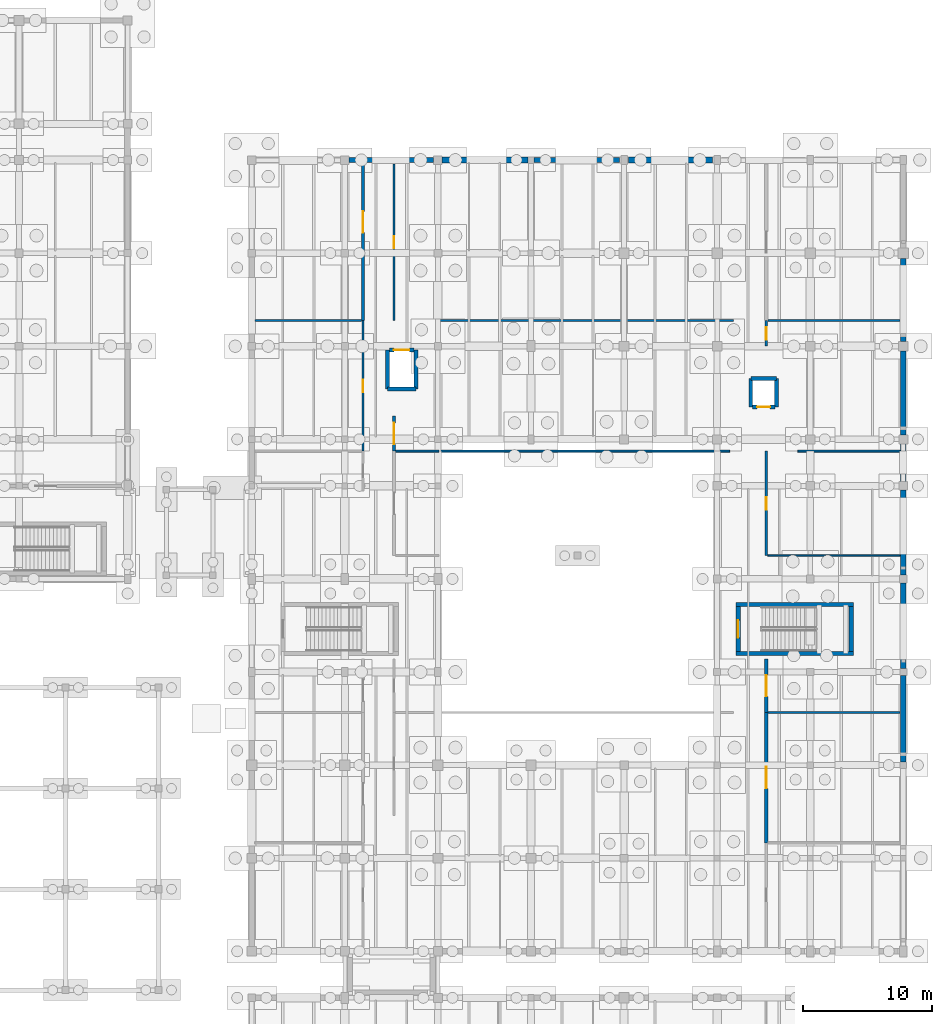
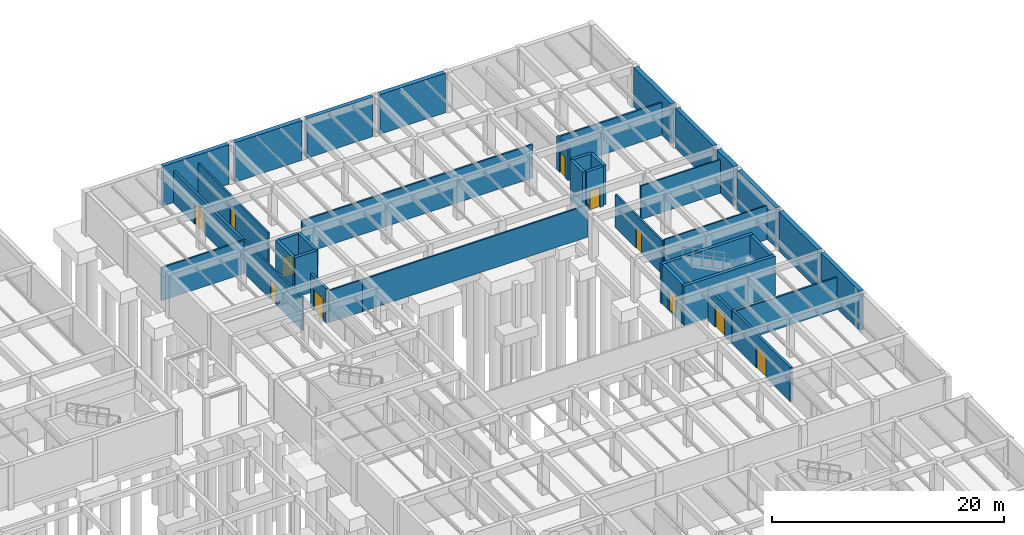
# One storey, part 49 of 63: 38 walls, 11 doors, 11 openings.
"""IFC4 building model written with IfcOpenShell, lengths in metres."""

from ifc_helpers import new_model, si_unit, direction, frame, frame_2d, origin, place, context, subcontext, project, spatial, rectangle, extrude, material, layer, layer_set, type_object, element, fill, save


model = new_model("IFC4")

# Units and contexts
model_context = context("Model", 3, precision=1e-05, world=origin(), true_north=direction((0.0, 1.0)))
body_context = subcontext(model_context, "Body", "Model", "MODEL_VIEW")
ifc_project = project(units=[si_unit("LENGTHUNIT", "METRE"), si_unit("AREAUNIT", "SQUARE_METRE"), si_unit("VOLUMEUNIT", "CUBIC_METRE"), si_unit("PLANEANGLEUNIT", "RADIAN"), si_unit("MASSUNIT", "GRAM", prefix="KILO")], contexts=[model_context])

# Site, building, storey
site_placement = place(None, origin())
site = spatial("IfcSite", under=ifc_project, at=site_placement, CompositionType="ELEMENT")
building_placement = place(site_placement, origin())
building = spatial("IfcBuilding", under=site, at=building_placement, Name="Mazaris Harbour Polytechnic", CompositionType="ELEMENT")
storey_placement = place(building_placement, frame((0.0, 0.0, -4.5)))
storey = spatial("IfcBuildingStorey", under=building, at=storey_placement, Name="B1", CompositionType="ELEMENT", Elevation=-4.5)

# Wall
ifc_material_1 = material(Name="Gypsum Board and Mineral Wool")
ifc_layer_1 = layer(ifc_material_1, 0.1201171875, Name="Gypsum Board and Mineral Wool")
ifc_layer_set_1 = layer_set([ifc_layer_1], Name="Gypsum Board and Mineral Wool")
wall_type_1 = type_object("IfcWallType", Name="Acoustic Stud Partition 120", PredefinedType="PARTITIONING", material=ifc_layer_set_1)
wall_1_placement = place(storey_placement, frame((162.320068359375, 77.39990234375, 0.0), z_axis=(0.0, 0.0, 1.0), x_axis=(1.0, 0.0, 0.0)))
element("IfcWall", 1, at=wall_1_placement, inside=storey, type_object=wall_type_1, Name="V5 B1 Partition 536", PredefinedType="PARTITIONING", context=body_context, shape_type="SweptSolid", body=[
    extrude(rectangle(XDim=10.22998046875, YDim=0.1201171875, at=frame_2d((5.114990234375, 0.0))), origin(), (0.0, 0.0, 1.0), 3.580078125),
])

# Wall, opening, door
ifc_material_2 = material(Name="Concrete C35/45", Category="concrete")
ifc_layer_2 = layer(ifc_material_2, 0.239990234375, Name="Concrete C35/45")
ifc_layer_set_2 = layer_set([ifc_layer_2], Name="Concrete C35/45")
wall_type_2 = type_object("IfcWallType", Name="Archive Vault Fire Wall 240", PredefinedType="STANDARD", material=ifc_layer_set_2)
wall_2_placement = place(storey_placement, frame((131.0, 95.5849609375, 0.0), z_axis=(0.0, 0.0, 1.0), x_axis=(0.0, 1.0, 0.0)))
wall_2 = element("IfcWall", 2, at=wall_2_placement, inside=storey, type_object=wall_type_2, Name="V5 B1 Partition 520", PredefinedType="STANDARD", context=body_context, shape_type="SweptSolid", body=[
    extrude(rectangle(XDim=12.114990234375, YDim=0.239990234375, at=frame_2d((6.0576171875, 0.0))), origin(), (0.0, 0.0, 1.0), 3.3798828125),
])
opening_1_placement = place(wall_2_placement, frame((6.80224609375, 0.0, 0.0)))
opening_1 = element("IfcOpeningElement", 3, at=opening_1_placement, cuts=wall_2, Name="Opening ID-06D", PredefinedType="OPENING", context=body_context, shape_type="SweptSolid", body=[
    extrude(rectangle(XDim=1.64990234375, YDim=2.25, at=frame_2d((0.824951171875, 1.125))), frame((0.0, 0.1298828125, 0.0), z_axis=(0.0, -1.0, 0.0), x_axis=(1.0, 0.0, 0.0)), (0.0, 0.0, 1.0), 0.260009765625),
])
ifc_material_3 = material(Name="Galvanised Steel S355", Category="steel")
door_type_1 = type_object("IfcDoorType", Name="Plant and Substation Double Door 1650x2250", OperationType="DOUBLE_DOOR_SINGLE_SWING", PredefinedType="DOOR", material=ifc_material_3)
door_1_placement = place(opening_1_placement, origin())
door_1 = element("IfcDoor", 4, at=door_1_placement, inside=storey, type_object=door_type_1, Name="ID-0247", OperationType="DOUBLE_DOOR_SINGLE_SWING", OverallHeight=2.25, OverallWidth=1.64990234375, PredefinedType="DOOR", context=body_context, shape_type="SweptSolid", body=[
    extrude(rectangle(XDim=1.64990234375, YDim=2.25, at=frame_2d((0.824951171875, 1.125))), frame((0.0, 0.02490234375, 0.0), z_axis=(0.0, -1.0, 0.0), x_axis=(1.0, 0.0, 0.0)), (0.0, 0.0, 1.0), 0.050048828125),
])
fill(opening_1, door_1)

wall_3_placement = place(storey_placement, frame((133.39990234375, 85.485107421875, 0.0), z_axis=(0.0, 0.0, 1.0), x_axis=(0.0, 1.0, 0.0)))
wall_3 = element("IfcWall", 5, at=wall_3_placement, inside=storey, type_object=wall_type_2, Name="V5 B1 Partition 527", PredefinedType="STANDARD", context=body_context, shape_type="SweptSolid", body=[
    extrude(rectangle(XDim=2.7099609375, YDim=0.239990234375, at=frame_2d((1.35498046875, 0.0))), origin(), (0.0, 0.0, 1.0), 3.580078125),
])
opening_2_placement = place(wall_3_placement, frame((0.530029296875, 0.0, 0.0)))
opening_2 = element("IfcOpeningElement", 6, at=opening_2_placement, cuts=wall_3, Name="Opening ID-06D", PredefinedType="OPENING", context=body_context, shape_type="SweptSolid", body=[
    extrude(rectangle(XDim=1.64990234375, YDim=2.25, at=frame_2d((0.824951171875, 1.125))), frame((0.0, 0.1298828125, 0.0), z_axis=(0.0, -1.0, 0.0), x_axis=(1.0, 0.0, 0.0)), (0.0, 0.0, 1.0), 0.260009765625),
])
door_2_placement = place(opening_2_placement, origin())
door_2 = element("IfcDoor", 7, at=door_2_placement, inside=storey, type_object=door_type_1, Name="ID-0251", OperationType="DOUBLE_DOOR_SINGLE_SWING", OverallHeight=2.25, OverallWidth=1.64990234375, PredefinedType="DOOR", context=body_context, shape_type="SweptSolid", body=[
    extrude(rectangle(XDim=1.64990234375, YDim=2.25, at=frame_2d((0.824951171875, 1.125))), frame((0.0, 0.02490234375, 0.0), z_axis=(0.0, -1.0, 0.0), x_axis=(1.0, 0.0, 0.0)), (0.0, 0.0, 1.0), 0.050048828125),
])
fill(opening_2, door_2)

wall_4_placement = place(storey_placement, frame((162.199951171875, 55.18505859375, 0.0), z_axis=(0.0, 0.0, 1.0), x_axis=(0.0, 1.0, 0.0)))
wall_4 = element("IfcWall", 8, at=wall_4_placement, inside=storey, type_object=wall_type_2, Name="V5 B1 Partition 533", PredefinedType="STANDARD", context=body_context, shape_type="SweptSolid", body=[
    extrude(rectangle(XDim=10.094970703125, YDim=0.239990234375, at=frame_2d((5.04736328125, 0.0))), origin(), (0.0, 0.0, 1.0), 3.580078125),
])
opening_3_placement = place(wall_4_placement, frame((4.222412109375, 0.0, 0.0)))
opening_3 = element("IfcOpeningElement", 9, at=opening_3_placement, cuts=wall_4, Name="Opening ID-06D", PredefinedType="OPENING", context=body_context, shape_type="SweptSolid", body=[
    extrude(rectangle(XDim=1.64990234375, YDim=2.25, at=frame_2d((0.824951171875, 1.125))), frame((0.0, 0.1298828125, 0.0), z_axis=(0.0, -1.0, 0.0), x_axis=(1.0, 0.0, 0.0)), (0.0, 0.0, 1.0), 0.260009765625),
])
door_3_placement = place(opening_3_placement, origin())
door_3 = element("IfcDoor", 10, at=door_3_placement, inside=storey, type_object=door_type_1, Name="ID-0254", OperationType="DOUBLE_DOOR_SINGLE_SWING", OverallHeight=2.25, OverallWidth=1.64990234375, PredefinedType="DOOR", context=body_context, shape_type="SweptSolid", body=[
    extrude(rectangle(XDim=1.64990234375, YDim=2.25, at=frame_2d((0.824951171875, 1.125))), frame((0.0, 0.02490234375, 0.0), z_axis=(0.0, -1.0, 0.0), x_axis=(1.0, 0.0, 0.0)), (0.0, 0.0, 1.0), 0.050048828125),
])
fill(opening_3, door_3)

wall_5_placement = place(storey_placement, frame((162.199951171875, 65.284912109375, 0.0), z_axis=(0.0, 0.0, 1.0), x_axis=(0.0, 1.0, 0.0)))
wall_5 = element("IfcWall", 11, at=wall_5_placement, inside=storey, type_object=wall_type_2, Name="V5 B1 Partition 535", PredefinedType="STANDARD", context=body_context, shape_type="SweptSolid", body=[
    extrude(rectangle(XDim=4.110107421875, YDim=0.239990234375, at=frame_2d((2.05517578125, 0.0))), origin(), (0.0, 0.0, 1.0), 3.3798828125),
])
opening_4_placement = place(wall_5_placement, frame((1.22998046875, 0.0, 0.0)))
opening_4 = element("IfcOpeningElement", 12, at=opening_4_placement, cuts=wall_5, Name="Opening ID-06D", PredefinedType="OPENING", context=body_context, shape_type="SweptSolid", body=[
    extrude(rectangle(XDim=1.64990234375, YDim=2.25, at=frame_2d((0.824951171875, 1.125))), frame((0.0, 0.1298828125, 0.0), z_axis=(0.0, -1.0, 0.0), x_axis=(1.0, 0.0, 0.0)), (0.0, 0.0, 1.0), 0.260009765625),
])
door_4_placement = place(opening_4_placement, origin())
door_4 = element("IfcDoor", 13, at=door_4_placement, inside=storey, type_object=door_type_1, Name="ID-0255", OperationType="DOUBLE_DOOR_SINGLE_SWING", OverallHeight=2.25, OverallWidth=1.64990234375, PredefinedType="DOOR", context=body_context, shape_type="SweptSolid", body=[
    extrude(rectangle(XDim=1.64990234375, YDim=2.25, at=frame_2d((0.824951171875, 1.125))), frame((0.0, 0.02490234375, 0.0), z_axis=(0.0, -1.0, 0.0), x_axis=(1.0, 0.0, 0.0)), (0.0, 0.0, 1.0), 0.050048828125),
])
fill(opening_4, door_4)

# Walls
ifc_material_4 = material(Name="Double Gypsum and Mineral Wool")
ifc_layer_3 = layer(ifc_material_4, 0.14990234375, Name="Double Gypsum and Mineral Wool")
ifc_layer_set_3 = layer_set([ifc_layer_3], Name="Double Gypsum and Mineral Wool")
wall_type_3 = type_object("IfcWallType", Name="Classroom Acoustic Partition 150", PredefinedType="PARTITIONING", material=ifc_layer_set_3)
wall_6_placement = place(storey_placement, frame((133.530029296875, 85.47998046875, 0.0), z_axis=(0.0, 0.0, 1.0), x_axis=(1.0, 0.0, 0.0)))
element("IfcWall", 14, at=wall_6_placement, inside=storey, type_object=wall_type_3, Name="V5 B1 Partition 526", PredefinedType="PARTITIONING", context=body_context, shape_type="SweptSolid", body=[
    extrude(rectangle(XDim=3.349853515625, YDim=0.14990234375, at=frame_2d((1.6748046875, 0.0))), origin(), (0.0, 0.0, 1.0), 3.3798828125),
])
wall_7_placement = place(storey_placement, frame((136.885009765625, 85.47998046875, 0.0), z_axis=(0.0, 0.0, 1.0), x_axis=(1.0, 0.0, 0.0)))
element("IfcWall", 15, at=wall_7_placement, inside=storey, type_object=wall_type_3, Name="V5 B1 Partition 528", PredefinedType="PARTITIONING", context=body_context, shape_type="SweptSolid", body=[
    extrude(rectangle(XDim=22.47509765625, YDim=0.14990234375, at=frame_2d((11.237548828125, 0.0))), origin(), (0.0, 0.0, 1.0), 3.3798828125),
])
wall_8_placement = place(storey_placement, frame((164.639892578125, 85.47998046875, 0.0), z_axis=(0.0, 0.0, 1.0), x_axis=(1.0, 0.0, 0.0)))
element("IfcWall", 16, at=wall_8_placement, inside=storey, type_object=wall_type_3, Name="V5 B1 Partition 538", PredefinedType="PARTITIONING", context=body_context, shape_type="SweptSolid", body=[
    extrude(rectangle(XDim=7.91015625, YDim=0.14990234375, at=frame_2d((3.955078125, 0.0))), origin(), (0.0, 0.0, 1.0), 3.530029296875),
])

# Wall, opening, door
ifc_material_5 = material(Name="Terracotta Block and Plaster", Category="masonry")
ifc_layer_4 = layer(ifc_material_5, 0.179931640625, Name="Terracotta Block and Plaster")
ifc_layer_set_4 = layer_set([ifc_layer_4], Name="Terracotta Block and Plaster")
wall_type_4 = type_object("IfcWallType", Name="Corridor Fire Partition 180", PredefinedType="PARTITIONING", material=ifc_layer_set_4)
wall_9_placement = place(storey_placement, frame((131.0, 85.485107421875, 0.0), z_axis=(0.0, 0.0, 1.0), x_axis=(0.0, 1.0, 0.0)))
wall_9 = element("IfcWall", 17, at=wall_9_placement, inside=storey, type_object=wall_type_4, Name="V5 B1 Partition 518", PredefinedType="PARTITIONING", context=body_context, shape_type="SweptSolid", body=[
    extrude(rectangle(XDim=10.094970703125, YDim=0.179931640625, at=frame_2d((5.04736328125, 0.0))), origin(), (0.0, 0.0, 1.0), 3.47998046875),
])
opening_5_placement = place(wall_9_placement, frame((4.5673828125, 0.0, 0.0)))
opening_5 = element("IfcOpeningElement", 18, at=opening_5_placement, cuts=wall_9, Name="Opening ID-01R", PredefinedType="OPENING", context=body_context, shape_type="SweptSolid", body=[
    extrude(rectangle(XDim=0.9599609375, YDim=2.14990234375, at=frame_2d((0.47998046875, 1.074951171875))), frame((0.0, 0.099853515625, 0.0), z_axis=(0.0, -1.0, 0.0), x_axis=(1.0, 0.0, 0.0)), (0.0, 0.0, 1.0), 0.199951171875),
])
ifc_material_6 = material(Name="Solid Oak Timber", Category="wood")
door_type_2 = type_object("IfcDoorType", Name="Classroom Single Door RH 960x2150", OperationType="SINGLE_SWING_RIGHT", PredefinedType="DOOR", material=ifc_material_6)
door_5_placement = place(opening_5_placement, origin())
door_5 = element("IfcDoor", 19, at=door_5_placement, inside=storey, type_object=door_type_2, Name="ID-0246", OperationType="SINGLE_SWING_RIGHT", OverallHeight=2.14990234375, OverallWidth=0.9599609375, PredefinedType="DOOR", context=body_context, shape_type="SweptSolid", body=[
    extrude(rectangle(XDim=0.9599609375, YDim=2.14990234375, at=frame_2d((0.47998046875, 1.074951171875))), frame((0.0, 0.02490234375, 0.0), z_axis=(0.0, -1.0, 0.0), x_axis=(1.0, 0.0, 0.0)), (0.0, 0.0, 1.0), 0.050048828125),
])
fill(opening_5, door_5)

wall_10_placement = place(storey_placement, frame((133.39990234375, 95.580078125, 0.0), z_axis=(0.0, 0.0, 1.0), x_axis=(0.0, 1.0, 0.0)))
wall_10 = element("IfcWall", 20, at=wall_10_placement, inside=storey, type_object=wall_type_4, Name="V5 B1 Partition 530", PredefinedType="PARTITIONING", context=body_context, shape_type="SweptSolid", body=[
    extrude(rectangle(XDim=12.119873046875, YDim=0.179931640625, at=frame_2d((6.06005859375, 0.0))), origin(), (0.0, 0.0, 1.0), 3.3798828125),
])
opening_6_placement = place(wall_10_placement, frame((5.5849609375, 0.0, 0.0)))
opening_6 = element("IfcOpeningElement", 21, at=opening_6_placement, cuts=wall_10, Name="Opening ID-01L", PredefinedType="OPENING", context=body_context, shape_type="SweptSolid", body=[
    extrude(rectangle(XDim=0.949951171875, YDim=2.14990234375, at=frame_2d((0.47509765625, 1.074951171875))), frame((0.0, 0.099853515625, 0.0), z_axis=(0.0, -1.0, 0.0), x_axis=(1.0, 0.0, 0.0)), (0.0, 0.0, 1.0), 0.199951171875),
])
ifc_material_7 = material(Name="Solid Oak Timber", Category="wood")
door_type_3 = type_object("IfcDoorType", Name="Classroom Single Door LH 950x2150", OperationType="SINGLE_SWING_LEFT", PredefinedType="DOOR", material=ifc_material_7)
door_6_placement = place(opening_6_placement, origin())
door_6 = element("IfcDoor", 22, at=door_6_placement, inside=storey, type_object=door_type_3, Name="ID-0252", OperationType="SINGLE_SWING_LEFT", OverallHeight=2.14990234375, OverallWidth=0.949951171875, PredefinedType="DOOR", context=body_context, shape_type="SweptSolid", body=[
    extrude(rectangle(XDim=0.949951171875, YDim=2.14990234375, at=frame_2d((0.47509765625, 1.074951171875))), frame((0.0, 0.02490234375, 0.0), z_axis=(0.0, -1.0, 0.0), x_axis=(1.0, 0.0, 0.0)), (0.0, 0.0, 1.0), 0.050048828125),
])
fill(opening_6, door_6)

wall_11_placement = place(storey_placement, frame((162.199951171875, 77.39990234375, 0.0), z_axis=(0.0, 0.0, 1.0), x_axis=(0.0, 1.0, 0.0)))
wall_11 = element("IfcWall", 23, at=wall_11_placement, inside=storey, type_object=wall_type_4, Name="V5 B1 Partition 537", PredefinedType="PARTITIONING", context=body_context, shape_type="SweptSolid", body=[
    extrude(rectangle(XDim=8.080078125, YDim=0.179931640625, at=frame_2d((4.0400390625, 0.0))), origin(), (0.0, 0.0, 1.0), 3.47998046875),
])
opening_7_placement = place(wall_11_placement, frame((3.56494140625, 0.0, 0.0)))
opening_7 = element("IfcOpeningElement", 24, at=opening_7_placement, cuts=wall_11, Name="Opening ID-01L", PredefinedType="OPENING", context=body_context, shape_type="SweptSolid", body=[
    extrude(rectangle(XDim=0.949951171875, YDim=2.14990234375, at=frame_2d((0.47509765625, 1.074951171875))), frame((0.0, 0.099853515625, 0.0), z_axis=(0.0, -1.0, 0.0), x_axis=(1.0, 0.0, 0.0)), (0.0, 0.0, 1.0), 0.199951171875),
])
door_7_placement = place(opening_7_placement, origin())
door_7 = element("IfcDoor", 25, at=door_7_placement, inside=storey, type_object=door_type_3, Name="ID-0256", OperationType="SINGLE_SWING_LEFT", OverallHeight=2.14990234375, OverallWidth=0.949951171875, PredefinedType="DOOR", context=body_context, shape_type="SweptSolid", body=[
    extrude(rectangle(XDim=0.949951171875, YDim=2.14990234375, at=frame_2d((0.47509765625, 1.074951171875))), frame((0.0, 0.02490234375, 0.0), z_axis=(0.0, -1.0, 0.0), x_axis=(1.0, 0.0, 0.0)), (0.0, 0.0, 1.0), 0.050048828125),
])
fill(opening_7, door_7)

wall_12_placement = place(storey_placement, frame((162.199951171875, 93.60498046875, 0.0), z_axis=(0.0, 0.0, 1.0), x_axis=(0.0, 1.0, 0.0)))
wall_12 = element("IfcWall", 26, at=wall_12_placement, inside=storey, type_object=wall_type_4, Name="V5 B1 Partition 539", PredefinedType="PARTITIONING", context=body_context, shape_type="SweptSolid", body=[
    extrude(rectangle(XDim=1.97509765625, YDim=0.179931640625, at=frame_2d((0.987548828125, 0.0))), origin(), (0.0, 0.0, 1.0), 3.530029296875),
])
opening_8_placement = place(wall_12_placement, frame((0.507568359375, 0.0, 0.0)))
opening_8 = element("IfcOpeningElement", 27, at=opening_8_placement, cuts=wall_12, Name="Opening ID-01R", PredefinedType="OPENING", context=body_context, shape_type="SweptSolid", body=[
    extrude(rectangle(XDim=0.9599609375, YDim=2.14990234375, at=frame_2d((0.47998046875, 1.074951171875))), frame((0.0, 0.099853515625, 0.0), z_axis=(0.0, -1.0, 0.0), x_axis=(1.0, 0.0, 0.0)), (0.0, 0.0, 1.0), 0.199951171875),
])
door_8_placement = place(opening_8_placement, origin())
door_8 = element("IfcDoor", 28, at=door_8_placement, inside=storey, type_object=door_type_2, Name="ID-0257", OperationType="SINGLE_SWING_RIGHT", OverallHeight=2.14990234375, OverallWidth=0.9599609375, PredefinedType="DOOR", context=body_context, shape_type="SweptSolid", body=[
    extrude(rectangle(XDim=0.9599609375, YDim=2.14990234375, at=frame_2d((0.47998046875, 1.074951171875))), frame((0.0, 0.02490234375, 0.0), z_axis=(0.0, -1.0, 0.0), x_axis=(1.0, 0.0, 0.0)), (0.0, 0.0, 1.0), 0.050048828125),
])
fill(opening_8, door_8)

# Walls
ifc_material_8 = material(Name="Fireboard and Mineral Wool")
ifc_layer_5 = layer(ifc_material_8, 0.1650390625, Name="Fireboard and Mineral Wool")
ifc_layer_set_5 = layer_set([ifc_layer_5], Name="Fireboard and Mineral Wool")
wall_type_5 = type_object("IfcWallType", Name="Laboratory Rated Partition 165", PredefinedType="PARTITIONING", material=ifc_layer_set_5)
wall_13_placement = place(storey_placement, frame((122.64990234375, 95.580078125, 0.0), z_axis=(0.0, 0.0, 1.0), x_axis=(1.0, 0.0, 0.0)))
element("IfcWall", 29, at=wall_13_placement, inside=storey, type_object=wall_type_5, Name="V5 B1 Partition 519", PredefinedType="PARTITIONING", context=body_context, shape_type="SweptSolid", body=[
    extrude(rectangle(XDim=8.25, YDim=0.1650390625, at=frame_2d((4.125, 0.0))), origin(), (0.0, 0.0, 1.0), 3.47998046875),
])
wall_14_placement = place(storey_placement, frame((136.639892578125, 95.580078125, 0.0), z_axis=(0.0, 0.0, 1.0), x_axis=(1.0, 0.0, 0.0)))
element("IfcWall", 30, at=wall_14_placement, inside=storey, type_object=wall_type_5, Name="V5 B1 Partition 529", PredefinedType="PARTITIONING", context=body_context, shape_type="SweptSolid", body=[
    extrude(rectangle(XDim=23.0400390625, YDim=0.1650390625, at=frame_2d((11.52001953125, 0.0))), origin(), (0.0, 0.0, 1.0), 3.530029296875),
])
wall_15_placement = place(storey_placement, frame((162.330078125, 65.280029296875, 0.0), z_axis=(0.0, 0.0, 1.0), x_axis=(1.0, 0.0, 0.0)))
element("IfcWall", 31, at=wall_15_placement, inside=storey, type_object=wall_type_5, Name="V5 B1 Partition 534", PredefinedType="PARTITIONING", context=body_context, shape_type="SweptSolid", body=[
    extrude(rectangle(XDim=10.219970703125, YDim=0.1650390625, at=frame_2d((5.10986328125, 0.0))), origin(), (0.0, 0.0, 1.0), 3.3798828125),
])
wall_16_placement = place(storey_placement, frame((162.320068359375, 95.580078125, 0.0), z_axis=(0.0, 0.0, 1.0), x_axis=(1.0, 0.0, 0.0)))
element("IfcWall", 32, at=wall_16_placement, inside=storey, type_object=wall_type_5, Name="V5 B1 Partition 540", PredefinedType="PARTITIONING", context=body_context, shape_type="SweptSolid", body=[
    extrude(rectangle(XDim=10.22998046875, YDim=0.1650390625, at=frame_2d((5.114990234375, 0.0))), origin(), (0.0, 0.0, 1.0), 3.429931640625),
])
ifc_material_9 = material(Name="Concrete C35/45", Category="concrete")
ifc_layer_6 = layer(ifc_material_9, 0.39990234375, Name="Concrete C35/45")
ifc_layer_set_6 = layer_set([ifc_layer_6], Name="Concrete C35/45")
wall_type_6 = type_object("IfcWallType", Name="RC Basement Retaining Wall 400", PredefinedType="USERDEFINED", material=ifc_layer_set_6)
wall_17_placement = place(storey_placement, frame((129.925048828125, 108.0, 0.0), z_axis=(0.0, 0.0, 1.0), x_axis=(1.0, 0.0, 0.0)))
element("IfcWall", 33, at=wall_17_placement, inside=storey, type_object=wall_type_6, Name="V5 B1 Retaining Wall 110", ObjectType="RETAINING WALL", PredefinedType="USERDEFINED", context=body_context, shape_type="SweptSolid", body=[
    extrude(rectangle(XDim=6.550048828125, YDim=0.39990234375, at=frame_2d((3.27490234375, 0.0))), origin(), (0.0, 0.0, 1.0), 4.179931640625),
])
wall_18_placement = place(storey_placement, frame((144.25, 108.0, 0.0), z_axis=(0.0, 0.0, 1.0), x_axis=(1.0, 0.0, 0.0)))
element("IfcWall", 34, at=wall_18_placement, inside=storey, type_object=wall_type_6, Name="V5 B1 Retaining Wall 112", ObjectType="RETAINING WALL", PredefinedType="USERDEFINED", context=body_context, shape_type="SweptSolid", body=[
    extrude(rectangle(XDim=6.60009765625, YDim=0.39990234375, at=frame_2d((3.300048828125, 0.0))), origin(), (0.0, 0.0, 1.0), 4.179931640625),
])
wall_19_placement = place(storey_placement, frame((172.800048828125, 61.449951171875, 0.0), z_axis=(0.0, 0.0, 1.0), x_axis=(0.0, 1.0, 0.0)))
element("IfcWall", 35, at=wall_19_placement, inside=storey, type_object=wall_type_6, Name="V5 B1 Retaining Wall 126", ObjectType="RETAINING WALL", PredefinedType="USERDEFINED", context=body_context, shape_type="SweptSolid", body=[
    extrude(rectangle(XDim=6.675048828125, YDim=0.39990234375, at=frame_2d((3.33740234375, 0.0))), origin(), (0.0, 0.0, 1.0), 4.179931640625),
])
wall_20_placement = place(storey_placement, frame((172.800048828125, 75.89990234375, 0.0), z_axis=(0.0, 0.0, 1.0), x_axis=(0.0, 1.0, 0.0)))
element("IfcWall", 36, at=wall_20_placement, inside=storey, type_object=wall_type_6, Name="V5 B1 Retaining Wall 128", ObjectType="RETAINING WALL", PredefinedType="USERDEFINED", context=body_context, shape_type="SweptSolid", body=[
    extrude(rectangle(XDim=6.5751953125, YDim=0.39990234375, at=frame_2d((3.28759765625, 0.0))), origin(), (0.0, 0.0, 1.0), 4.179931640625),
])
wall_21_placement = place(storey_placement, frame((172.800048828125, 86.75, 0.0), z_axis=(0.0, 0.0, 1.0), x_axis=(0.0, 1.0, 0.0)))
element("IfcWall", 37, at=wall_21_placement, inside=storey, type_object=wall_type_6, Name="V5 B1 Retaining Wall 130", ObjectType="RETAINING WALL", PredefinedType="USERDEFINED", context=body_context, shape_type="SweptSolid", body=[
    extrude(rectangle(XDim=6.47509765625, YDim=0.39990234375, at=frame_2d((3.237548828125, 0.0))), origin(), (0.0, 0.0, 1.0), 4.179931640625),
])
ifc_material_10 = material(Name="Concrete C35/45", Category="concrete")
ifc_layer_7 = layer(ifc_material_10, 0.449951171875, Name="Concrete C35/45")
ifc_layer_set_7 = layer_set([ifc_layer_7], Name="Concrete C35/45")
wall_type_7 = type_object("IfcWallType", Name="RC Basement Retaining Wall 450", PredefinedType="USERDEFINED", material=ifc_layer_set_7)
wall_22_placement = place(storey_placement, frame((137.125, 108.0, 0.0), z_axis=(0.0, 0.0, 1.0), x_axis=(1.0, 0.0, 0.0)))
element("IfcWall", 38, at=wall_22_placement, inside=storey, type_object=wall_type_7, Name="V5 B1 Retaining Wall 111", ObjectType="RETAINING WALL", PredefinedType="USERDEFINED", context=body_context, shape_type="SweptSolid", body=[
    extrude(rectangle(XDim=6.625, YDim=0.449951171875, at=frame_2d((3.3125, 0.0))), origin(), (0.0, 0.0, 1.0), 4.179931640625),
])
wall_23_placement = place(storey_placement, frame((151.550048828125, 108.0, 0.0), z_axis=(0.0, 0.0, 1.0), x_axis=(1.0, 0.0, 0.0)))
element("IfcWall", 39, at=wall_23_placement, inside=storey, type_object=wall_type_7, Name="V5 B1 Retaining Wall 113", ObjectType="RETAINING WALL", PredefinedType="USERDEFINED", context=body_context, shape_type="SweptSolid", body=[
    extrude(rectangle(XDim=6.5, YDim=0.449951171875, at=frame_2d((3.25, 0.0))), origin(), (0.0, 0.0, 1.0), 4.179931640625),
])
wall_24_placement = place(storey_placement, frame((172.800048828125, 68.675048828125, 0.0), z_axis=(0.0, 0.0, 1.0), x_axis=(0.0, 1.0, 0.0)))
element("IfcWall", 40, at=wall_24_placement, inside=storey, type_object=wall_type_7, Name="V5 B1 Retaining Wall 127", ObjectType="RETAINING WALL", PredefinedType="USERDEFINED", context=body_context, shape_type="SweptSolid", body=[
    extrude(rectangle(XDim=6.625, YDim=0.449951171875, at=frame_2d((3.3125, 0.0))), origin(), (0.0, 0.0, 1.0), 4.179931640625),
])
wall_25_placement = place(storey_placement, frame((172.800048828125, 83.125, 0.0), z_axis=(0.0, 0.0, 1.0), x_axis=(0.0, 1.0, 0.0)))
element("IfcWall", 41, at=wall_25_placement, inside=storey, type_object=wall_type_7, Name="V5 B1 Retaining Wall 129", ObjectType="RETAINING WALL", PredefinedType="USERDEFINED", context=body_context, shape_type="SweptSolid", body=[
    extrude(rectangle(XDim=2.925048828125, YDim=0.449951171875, at=frame_2d((1.46240234375, 0.0))), origin(), (0.0, 0.0, 1.0), 4.179931640625),
])
wall_26_placement = place(storey_placement, frame((172.800048828125, 93.97509765625, 0.0), z_axis=(0.0, 0.0, 1.0), x_axis=(0.0, 1.0, 0.0)))
element("IfcWall", 42, at=wall_26_placement, inside=storey, type_object=wall_type_7, Name="V5 B1 Retaining Wall 131", ObjectType="RETAINING WALL", PredefinedType="USERDEFINED", context=body_context, shape_type="SweptSolid", body=[
    extrude(rectangle(XDim=6.4248046875, YDim=0.449951171875, at=frame_2d((3.21240234375, 0.0))), origin(), (0.0, 0.0, 1.0), 4.179931640625),
])
ifc_material_11 = material(Name="Concrete C40/50", Category="concrete")
ifc_layer_8 = layer(ifc_material_11, 0.324951171875, Name="Concrete C40/50")
ifc_layer_set_8 = layer_set([ifc_layer_8], Name="Concrete C40/50")
wall_type_8 = type_object("IfcWallType", Name="RC Core Shear Wall 325", PredefinedType="SHEAR", material=ifc_layer_set_8)
for number, where, z_axis, x_axis, name in (
    (43, (159.85009765625, 69.824951171875, 0.0), (0.0, 0.0, 1.0), (1.0, 0.0, 0.0), "Core ST10 B1 Shear Wall S"),
    (44, (168.949951171875, 73.625, 0.0), (0.0, 0.0, 1.0), (-1.0, 0.0, 0.0), "Core ST10 B1 Shear Wall N"),
):
    element("IfcWall", number, at=place(storey_placement, frame(where, z_axis=z_axis, x_axis=x_axis)), inside=storey, type_object=wall_type_8, Name=name, PredefinedType="SHEAR", context=body_context, shape_type="SweptSolid", body=[
        extrude(rectangle(XDim=9.099853515625, YDim=0.324951171875, at=frame_2d((4.5498046875, 0.0))), origin(), (0.0, 0.0, 1.0), 4.179931640625),
    ])
wall_27_placement = place(storey_placement, frame((168.77490234375, 70.0, 0.0), z_axis=(0.0, 0.0, 1.0), x_axis=(0.0, 1.0, 0.0)))
element("IfcWall", 45, at=wall_27_placement, inside=storey, type_object=wall_type_8, Name="Core ST10 B1 Shear Wall E", PredefinedType="SHEAR", context=body_context, shape_type="SweptSolid", body=[
    extrude(rectangle(XDim=3.449951171875, YDim=0.324951171875, at=frame_2d((1.72509765625, 0.0))), origin(), (0.0, 0.0, 1.0), 4.179931640625),
])

# Wall, opening, door
wall_28_placement = place(storey_placement, frame((160.02490234375, 73.449951171875, 0.0), z_axis=(0.0, 0.0, 1.0), x_axis=(0.0, -1.0, 0.0)))
wall_28 = element("IfcWall", 46, at=wall_28_placement, inside=storey, type_object=wall_type_8, Name="Core ST10 B1 Entrance Shear Wall", PredefinedType="SHEAR", context=body_context, shape_type="SweptSolid", body=[
    extrude(rectangle(XDim=3.449951171875, YDim=0.324951171875, at=frame_2d((1.72509765625, 0.0))), origin(), (0.0, 0.0, 1.0), 4.179931640625),
])
opening_9_placement = place(wall_28_placement, frame((1.034912109375, 0.0, 0.0)))
opening_9 = element("IfcOpeningElement", 47, at=opening_9_placement, cuts=wall_28, Name="Opening SD-01", PredefinedType="OPENING", context=body_context, shape_type="SweptSolid", body=[
    extrude(rectangle(XDim=1.3798828125, YDim=2.199951171875, at=frame_2d((0.68994140625, 1.10009765625))), frame((0.0, 0.17236328125, 0.0), z_axis=(0.0, -1.0, 0.0), x_axis=(1.0, 0.0, 0.0)), (0.0, 0.0, 1.0), 0.344970703125),
])
ifc_material_12 = material(Name="Glulam Timber and Fire Glass", Category="wood")
door_type_4 = type_object("IfcDoorType", Name="Protected Stair Lobby Fire Door 1380x2200", OperationType="DOUBLE_DOOR_SINGLE_SWING", PredefinedType="DOOR", material=ifc_material_12)
door_9_placement = place(opening_9_placement, origin())
door_9 = element("IfcDoor", 48, at=door_9_placement, inside=storey, type_object=door_type_4, Name="SD-048", OperationType="DOUBLE_DOOR_SINGLE_SWING", OverallHeight=2.199951171875, OverallWidth=1.3798828125, PredefinedType="DOOR", context=body_context, shape_type="SweptSolid", body=[
    extrude(rectangle(XDim=1.3798828125, YDim=2.199951171875, at=frame_2d((0.68994140625, 1.10009765625))), frame((0.0, 0.02490234375, 0.0), z_axis=(0.0, -1.0, 0.0), x_axis=(1.0, 0.0, 0.0)), (0.0, 0.0, 1.0), 0.050048828125),
])
fill(opening_9, door_9)

# Walls
ifc_material_13 = material(Name="Concrete C40/50", Category="concrete")
ifc_layer_9 = layer(ifc_material_13, 0.300048828125, Name="Concrete C40/50")
ifc_layer_set_9 = layer_set([ifc_layer_9], Name="Concrete C40/50")
wall_type_9 = type_object("IfcWallType", Name="RC Lift Shaft Wall 300", PredefinedType="SHEAR", material=ifc_layer_set_9)
wall_29_placement = place(storey_placement, frame((132.89990234375, 90.300048828125, 0.0), z_axis=(0.0, 0.0, 1.0), x_axis=(1.0, 0.0, 0.0)))
element("IfcWall", 49, at=wall_29_placement, inside=storey, type_object=wall_type_9, Name="Lift LF-02 B1 South Shaft Wall", PredefinedType="SHEAR", context=body_context, shape_type="SweptSolid", body=[
    extrude(rectangle(XDim=2.2001953125, YDim=0.300048828125, at=frame_2d((1.10009765625, 0.0))), origin(), (0.0, 0.0, 1.0), 4.179931640625),
])
for number, where, z_axis, x_axis, name in (
    (50, (132.89990234375, 93.300048828125, 0.0), (0.0, 0.0, 1.0), (0.0, -1.0, 0.0), "Lift LF-02 B1 West Shaft Wall"),
    (51, (135.10009765625, 90.300048828125, 0.0), (0.0, 0.0, 1.0), (0.0, 1.0, 0.0), "Lift LF-02 B1 East Shaft Wall"),
):
    element("IfcWall", number, at=place(storey_placement, frame(where, z_axis=z_axis, x_axis=x_axis)), inside=storey, type_object=wall_type_9, Name=name, PredefinedType="SHEAR", context=body_context, shape_type="SweptSolid", body=[
        extrude(rectangle(XDim=3.0, YDim=0.300048828125, at=frame_2d((1.5, 0.0))), origin(), (0.0, 0.0, 1.0), 4.179931640625),
    ])
wall_30_placement = place(storey_placement, frame((163.0, 91.10009765625, 0.0), z_axis=(0.0, 0.0, 1.0), x_axis=(-1.0, 0.0, 0.0)))
element("IfcWall", 52, at=wall_30_placement, inside=storey, type_object=wall_type_9, Name="Lift LP-04 B1 North Shaft Wall", PredefinedType="SHEAR", context=body_context, shape_type="SweptSolid", body=[
    extrude(rectangle(XDim=2.0, YDim=0.300048828125, at=frame_2d((1.0, 0.0))), origin(), (0.0, 0.0, 1.0), 4.179931640625),
])
for number, where, z_axis, x_axis, name in (
    (53, (161.0, 91.10009765625, 0.0), (0.0, 0.0, 1.0), (0.0, -1.0, 0.0), "Lift LP-04 B1 West Shaft Wall"),
    (54, (163.0, 88.89990234375, 0.0), (0.0, 0.0, 1.0), (0.0, 1.0, 0.0), "Lift LP-04 B1 East Shaft Wall"),
):
    element("IfcWall", number, at=place(storey_placement, frame(where, z_axis=z_axis, x_axis=x_axis)), inside=storey, type_object=wall_type_9, Name=name, PredefinedType="SHEAR", context=body_context, shape_type="SweptSolid", body=[
        extrude(rectangle(XDim=2.2001953125, YDim=0.300048828125, at=frame_2d((1.10009765625, 0.0))), origin(), (0.0, 0.0, 1.0), 4.179931640625),
    ])

# Wall, opening, door
wall_31_placement = place(storey_placement, frame((133.0400390625, 93.300048828125, 0.0), z_axis=(0.0, 0.0, 1.0), x_axis=(1.0, 0.0, 0.0)))
wall_31 = element("IfcWall", 55, at=wall_31_placement, inside=storey, type_object=wall_type_9, Name="Lift LF-02 B1 Front Shaft Wall", PredefinedType="SHEAR", context=body_context, shape_type="SweptSolid", body=[
    extrude(rectangle(XDim=1.919921875, YDim=0.300048828125, at=frame_2d((0.9599609375, 0.0))), origin(), (0.0, 0.0, 1.0), 4.179931640625),
])
opening_10_placement = place(wall_31_placement, frame((0.360107421875, 0.0, 0.0)))
opening_10 = element("IfcOpeningElement", 56, at=opening_10_placement, cuts=wall_31, Name="Opening LD-02", PredefinedType="OPENING", context=body_context, shape_type="SweptSolid", body=[
    extrude(rectangle(XDim=1.199951171875, YDim=2.10009765625, at=frame_2d((0.60009765625, 1.050048828125))), frame((0.0, 0.159912109375, 0.0), z_axis=(0.0, -1.0, 0.0), x_axis=(1.0, 0.0, 0.0)), (0.0, 0.0, 1.0), 0.320068359375),
])
ifc_material_14 = material(Name="Stainless Steel S355", Category="steel")
door_type_5 = type_object("IfcDoorType", Name="Sliding Firefighting Lift Landing Door 1200x2100", OperationType="SLIDING_TO_LEFT", PredefinedType="DOOR", material=ifc_material_14)
door_10_placement = place(opening_10_placement, origin())
door_10 = element("IfcDoor", 57, at=door_10_placement, inside=storey, type_object=door_type_5, Name="LD-008", OperationType="SLIDING_TO_LEFT", OverallHeight=2.10009765625, OverallWidth=1.199951171875, PredefinedType="DOOR", context=body_context, shape_type="SweptSolid", body=[
    extrude(rectangle(XDim=1.199951171875, YDim=2.10009765625, at=frame_2d((0.60009765625, 1.050048828125))), frame((0.0, 0.02490234375, 0.0), z_axis=(0.0, -1.0, 0.0), x_axis=(1.0, 0.0, 0.0)), (0.0, 0.0, 1.0), 0.050048828125),
])
fill(opening_10, door_10)

wall_32_placement = place(storey_placement, frame((162.860107421875, 88.89990234375, 0.0), z_axis=(0.0, 0.0, 1.0), x_axis=(-1.0, 0.0, 0.0)))
wall_32 = element("IfcWall", 58, at=wall_32_placement, inside=storey, type_object=wall_type_9, Name="Lift LP-04 B1 Front Shaft Wall", PredefinedType="SHEAR", context=body_context, shape_type="SweptSolid", body=[
    extrude(rectangle(XDim=1.72021484375, YDim=0.300048828125, at=frame_2d((0.860107421875, 0.0))), origin(), (0.0, 0.0, 1.0), 4.179931640625),
])
opening_11_placement = place(wall_32_placement, frame((0.360107421875, 0.0, 0.0)))
opening_11 = element("IfcOpeningElement", 59, at=opening_11_placement, cuts=wall_32, Name="Opening LD-01", PredefinedType="OPENING", context=body_context, shape_type="SweptSolid", body=[
    extrude(rectangle(XDim=1.0, YDim=2.10009765625, at=frame_2d((0.5, 1.050048828125))), frame((0.0, 0.159912109375, 0.0), z_axis=(0.0, -1.0, 0.0), x_axis=(1.0, 0.0, 0.0)), (0.0, 0.0, 1.0), 0.320068359375),
])
ifc_material_15 = material(Name="Stainless Steel S355", Category="steel")
door_type_6 = type_object("IfcDoorType", Name="Sliding Passenger Lift Landing Door 1000x2100", OperationType="SLIDING_TO_LEFT", PredefinedType="DOOR", material=ifc_material_15)
door_11_placement = place(opening_11_placement, origin())
door_11 = element("IfcDoor", 60, at=door_11_placement, inside=storey, type_object=door_type_6, Name="LD-030", OperationType="SLIDING_TO_LEFT", OverallHeight=2.10009765625, OverallWidth=1.0, PredefinedType="DOOR", context=body_context, shape_type="SweptSolid", body=[
    extrude(rectangle(XDim=1.0, YDim=2.10009765625, at=frame_2d((0.5, 1.050048828125))), frame((0.0, 0.02490234375, 0.0), z_axis=(0.0, -1.0, 0.0), x_axis=(1.0, 0.0, 0.0)), (0.0, 0.0, 1.0), 0.050048828125),
])
fill(opening_11, door_11)

save(model, "model.ifc")
